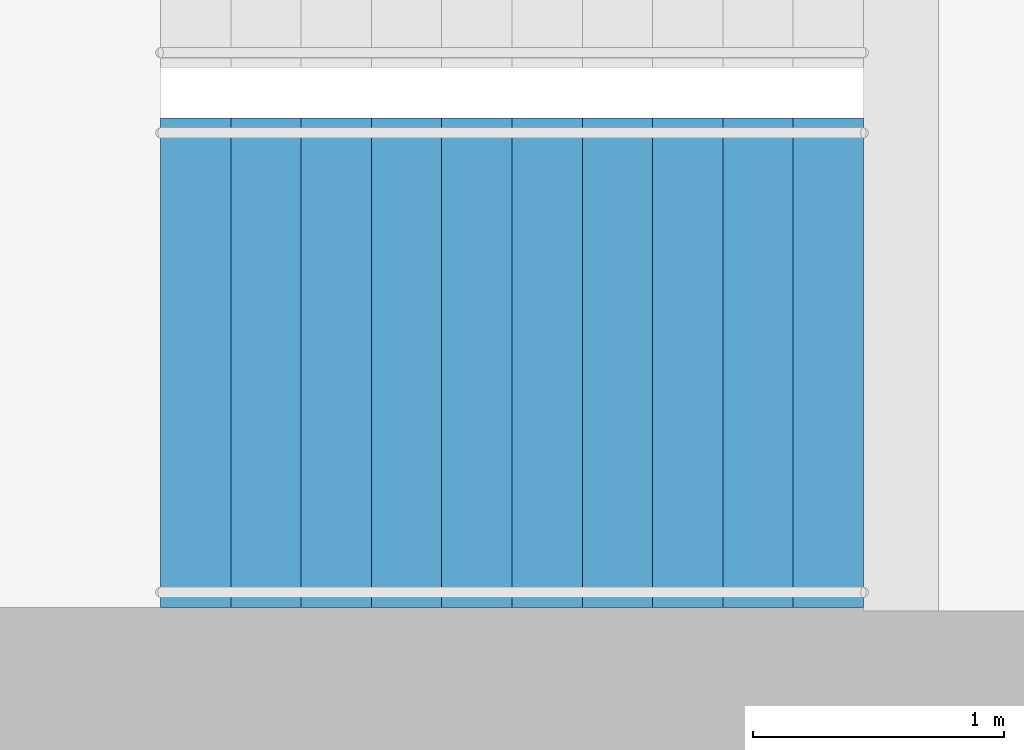
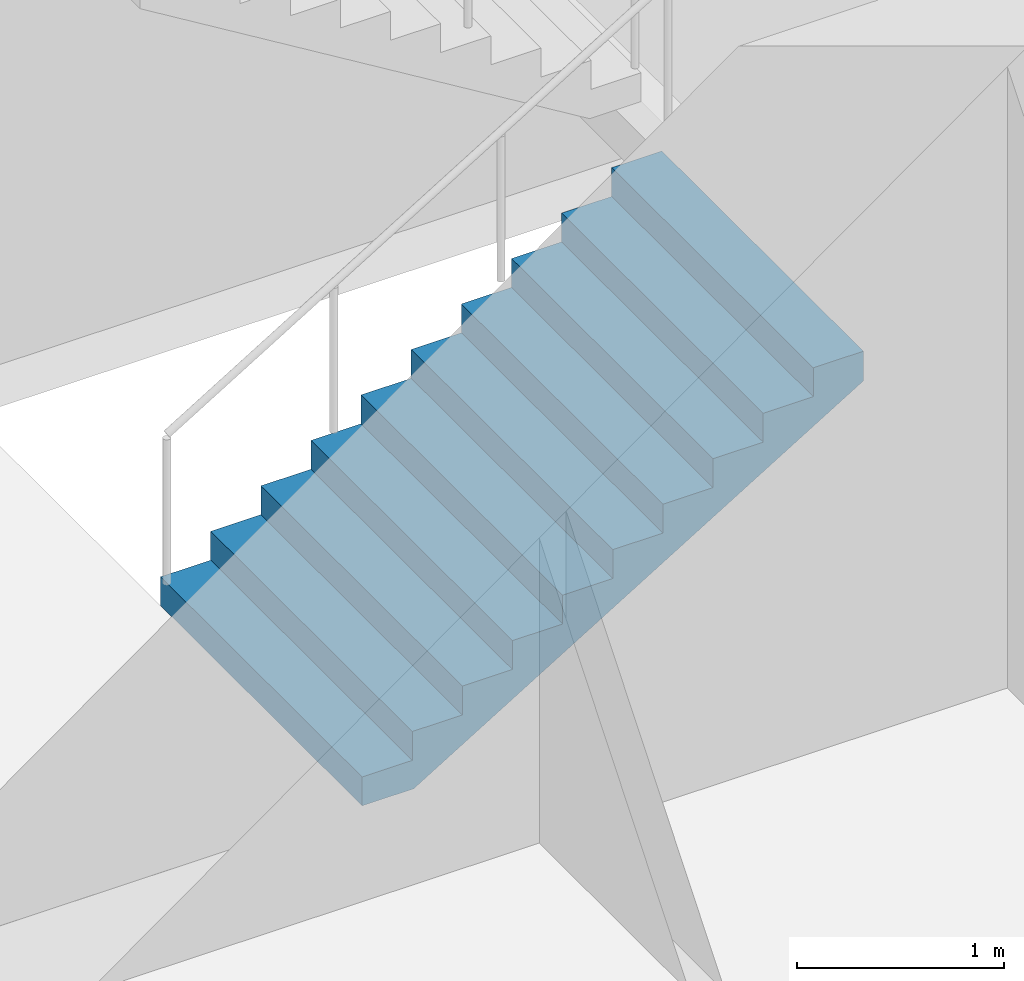
# One storey, part 19 of 23: 1 stair flight, 1 element without a shape of its own.
"""IFC4 building model written with IfcOpenShell, lengths in metres."""

import ifcopenshell
import ifcopenshell.guid

model = None  # the IFC model being written
_history = None  # IfcOwnerHistory: only IFC2X3 demands one
_inside = {}  # id of a spatial element -> (the spatial element, [elements in it])
_under = {}  # id of a project, library or spatial element -> (it, [spatial elements below it])
_declared = {}  # id of a project -> (the project, [libraries it declares])
_typed = {}  # id of a type object -> (the type object, [elements of that type])
_made_of = {}  # id of a material, layer set ... -> (it, [elements and type objects made of it])


def new_model(schema):
    """Start an empty IFC model of exactly this schema.

    Asked for "IFC4X3", IfcOpenShell would pick the latest addendum, in which some entities
    have other attributes; the version numbers below select the first issue.
    IFC2X3 requires an IfcOwnerHistory on every rooted entity: one is made here for all.
    """
    global model, _history
    if schema == "IFC4X3":
        model = ifcopenshell.file(schema_version=(4, 3, 0, 0))
    else:
        model = ifcopenshell.file(schema=schema)
    _inside.clear()
    _under.clear()
    _declared.clear()
    _typed.clear()
    _made_of.clear()
    _history = None
    if model.schema == "IFC2X3":
        org = make("IfcOrganization", Name="unknown")
        user = make(
            "IfcPersonAndOrganization",
            ThePerson=make("IfcPerson", FamilyName="unknown"),
            TheOrganization=org,
        )
        app = make(
            "IfcApplication",
            ApplicationDeveloper=org,
            Version="unknown",
            ApplicationFullName="unknown",
            ApplicationIdentifier="unknown",
        )
        _history = make(
            "IfcOwnerHistory",
            OwningUser=user,
            OwningApplication=app,
            ChangeAction="ADDED",
            CreationDate=0,
        )
    return model


def make(cls, **values):
    """One entity of the class cls with the attributes given. An attribute that is None is left unset."""
    return model.create_entity(
        cls, **{name: value for name, value in values.items() if value is not None}
    )


def rooted(cls, **values):
    """An entity with a GlobalId (a new one), such as an element, a storey or a relation."""
    return make(cls, GlobalId=ifcopenshell.guid.new(), OwnerHistory=_history, **values)


def si_unit(unit_type, name, prefix=None):
    """IfcSIUnit, for example si_unit("LENGTHUNIT", "METRE", prefix="MILLI")."""
    return make("IfcSIUnit", UnitType=unit_type, Prefix=prefix, Name=name)


def assignment(units):
    """IfcUnitAssignment: the units of a project."""
    return None if units is None else make("IfcUnitAssignment", Units=units)


def point(xyz):
    """IfcCartesianPoint."""
    return None if xyz is None else make("IfcCartesianPoint", Coordinates=xyz)


def direction(xyz):
    """IfcDirection."""
    return None if xyz is None else make("IfcDirection", DirectionRatios=xyz)


def frame(location, z_axis=None, x_axis=None):
    """IfcAxis2Placement3D, a coordinate frame: its origin and axes. An axis left out is left unset."""
    return make(
        "IfcAxis2Placement3D",
        Location=point(location),
        Axis=direction(z_axis),
        RefDirection=direction(x_axis),
    )


def origin():
    """The frame at (0, 0, 0) with its axes left unset."""
    return frame((0.0, 0.0, 0.0))


def place(relative_to, where):
    """IfcLocalPlacement: puts the frame where relative to a parent placement (None: the world)."""
    return make(
        "IfcLocalPlacement", PlacementRelTo=relative_to, RelativePlacement=where
    )


def context(
    kind, dimensions, precision=None, world=None, true_north=None, identifier=None
):
    """IfcGeometricRepresentationContext, for example the 3D "Model" context."""
    return make(
        "IfcGeometricRepresentationContext",
        ContextIdentifier=identifier,
        ContextType=kind,
        CoordinateSpaceDimension=dimensions,
        Precision=precision,
        WorldCoordinateSystem=world,
        TrueNorth=true_north,
    )


def subcontext(parent, identifier, kind, view, scale=None):
    """IfcGeometricRepresentationSubContext, for example "Body" below "Model"."""
    return make(
        "IfcGeometricRepresentationSubContext",
        ContextIdentifier=identifier,
        ContextType=kind,
        ParentContext=parent,
        TargetScale=scale,
        TargetView=view,
    )


def project(units=None, contexts=None):
    """IfcProject with its units and contexts."""
    return rooted(
        "IfcProject",
        Name="project",
        RepresentationContexts=contexts,
        UnitsInContext=assignment(units),
    )


def spatial(cls, under=None, at=None, **own):
    """A site, building, storey or space (cls), placed at a placement, below another one or the project."""
    s = rooted(cls, ObjectPlacement=at, **own)
    if under is not None:
        _under.setdefault(under.id(), (under, []))[1].append(s)
    return s


def point_list(points):
    """IfcCartesianPointList2D or 3D."""
    cls = (
        "IfcCartesianPointList2D" if len(points[0]) == 2 else "IfcCartesianPointList3D"
    )
    return make(cls, CoordList=points)


def triangles(points, corners, closed=None, point_numbers=None):
    """IfcTriangulatedFaceSet: each triangle names its three corners, points numbered from 1."""
    return make(
        "IfcTriangulatedFaceSet",
        Coordinates=point_list(points),
        Closed=closed,
        CoordIndex=corners,
        PnIndex=point_numbers,
    )


def shape(context_of_items, identifier, shape_type, items):
    """IfcShapeRepresentation: the items that make up one representation, for example the "Body"."""
    return make(
        "IfcShapeRepresentation",
        ContextOfItems=context_of_items,
        RepresentationIdentifier=identifier,
        RepresentationType=shape_type,
        Items=items,
    )


def material(Name=None, Category=None):
    """IfcMaterial."""
    return make("IfcMaterial", Name=Name, Category=Category)


def made_of(thing, what):
    """Note that an element or type object is made of a material, layer set ...; save() writes the relation."""
    if what is not None:
        _made_of.setdefault(what.id(), (what, []))[1].append(thing)
    return thing


def type_object(cls, material=None, **own):
    """A type object (cls), such as IfcWallType, which elements share."""
    return made_of(rooted(cls, **own), material)


def element(
    cls,
    number,
    at=None,
    inside=None,
    cuts=None,
    type_object=None,
    material=None,
    context=None,
    identifier="Body",
    shape_type=None,
    held_by="IfcProductDefinitionShape",
    body=None,
    shapes=None,
    **own,
):
    """One element of the class cls, such as IfcWall. Its Tag is "e" and its number.

    at: its placement. inside: the storey or other place that contains it. cuts: it is an
    opening in that element (IfcRelVoidsElement). A single representation is given by context,
    identifier, shape_type and body (its items); several are given by shapes. held_by: the class
    of the entity that holds the representations. save() writes the other relations.
    """
    e = rooted(cls, Tag="e%d" % number, ObjectPlacement=at, **own)
    if body is not None:
        shapes = [shape(context, identifier, shape_type, body)]
    if shapes is not None:
        e.Representation = make(held_by, Representations=shapes)
    if inside is not None:
        _inside.setdefault(inside.id(), (inside, []))[1].append(e)
    if cuts is not None:
        rooted(
            "IfcRelVoidsElement", RelatingBuildingElement=cuts, RelatedOpeningElement=e
        )
    if type_object is not None:
        _typed.setdefault(type_object.id(), (type_object, []))[1].append(e)
    return made_of(e, material)


def aggregate(whole, parts):
    """IfcRelAggregates: a whole, such as a stair, and the parts it consists of."""
    return rooted("IfcRelAggregates", RelatingObject=whole, RelatedObjects=parts)


def save(model, path):
    """Write the relations noted so far, then the file.

    IfcRelAggregates (storeys below a building ...), IfcRelContainedInSpatialStructure (elements
    in a storey), IfcRelDefinesByType, IfcRelAssociatesMaterial and IfcRelDeclares: one each for
    every whole, place, type object, material and project.
    """
    for whole, parts in _under.values():
        aggregate(whole, parts)
    for where, things in _inside.values():
        rooted(
            "IfcRelContainedInSpatialStructure",
            RelatedElements=things,
            RelatingStructure=where,
        )
    for kind, things in _typed.values():
        rooted("IfcRelDefinesByType", RelatedObjects=things, RelatingType=kind)
    for what, things in _made_of.values():
        rooted("IfcRelAssociatesMaterial", RelatedObjects=things, RelatingMaterial=what)
    for by, libraries in _declared.values():
        rooted("IfcRelDeclares", RelatingContext=by, RelatedDefinitions=libraries)
    model.write(path)


model = new_model("IFC4")

# Units and contexts
model_context = context("Model", 3, precision=1e-05, world=origin(), true_north=direction((0.0, 1.0)))
body_context = subcontext(model_context, "Body", "Model", "MODEL_VIEW")
ifc_project = project(units=[si_unit("LENGTHUNIT", "METRE"), si_unit("AREAUNIT", "SQUARE_METRE"), si_unit("VOLUMEUNIT", "CUBIC_METRE"), si_unit("PLANEANGLEUNIT", "RADIAN"), si_unit("MASSUNIT", "GRAM", prefix="KILO")], contexts=[model_context])

# Site, building, storey
site_placement = place(None, origin())
site = spatial("IfcSite", under=ifc_project, at=site_placement, CompositionType="ELEMENT")
building_placement = place(site_placement, origin())
building = spatial("IfcBuilding", under=site, at=building_placement, Name="Orbita Commons", CompositionType="ELEMENT")
storey_placement = place(building_placement, frame((0.0, 0.0, 254.050048828125)))
storey = spatial("IfcBuildingStorey", under=building, at=storey_placement, Name="L63", CompositionType="ELEMENT", Elevation=254.050048828125)

# Stair, stair flight
ifc_material_1 = material(Name="Precast concrete C40/50", Category="concrete")
stair_type = type_object("IfcStairType", Name="Exit stair S1 2 flights 11 risers 170", PredefinedType="HALF_TURN_STAIR", material=ifc_material_1)
stair_placement = place(storey_placement, origin())
stair = element("IfcStair", 1, at=stair_placement, inside=storey, type_object=stair_type, Name="Exit stair S1 L63", PredefinedType="HALF_TURN_STAIR")
ifc_material_2 = material(Name="Precast concrete C40/50", Category="concrete")
stair_flight_type = type_object("IfcStairFlightType", Name="Stair flight 11 risers 170 x 280", PredefinedType="STRAIGHT", material=ifc_material_2)
stair_flight_placement = place(storey_placement, frame((20.449951171875, 27.125, 0.0), z_axis=(0.0, 0.0, 1.0), x_axis=(1.0, 0.0, 0.0)))
stair_flight = element("IfcStairFlight", 2, at=stair_flight_placement, type_object=stair_flight_type, Name="S1 flight 1", NumberOfRisers=11, NumberOfTreads=10, PredefinedType="STRAIGHT", RiserHeight=0.170454545, TreadLength=0.28, context=body_context, shape_type="Tessellation", body=[
    triangles([(0.0, 0.974976, 0.0), (0.0, 0.974976, 0.021307), (0.0, 0.81248, 0.021307), (0.0, 0.81248, 0.0), (0.0, 0.649984, 0.021307), (0.0, 0.649984, 0.0), (0.0, 0.487488, 0.021307), (0.0, 0.487488, 0.0), (0.0, 0.324992, 0.021307), (0.0, 0.324992, 0.0), (0.0, 0.162496, 0.021307), (0.0, 0.162496, 0.0), (0.0, 0.0, 0.021307), (0.0, 0.0, 0.0), (0.0, -0.162496, 0.021307), (0.0, -0.162496, 0.0), (0.0, -0.324992, 0.021307), (0.0, -0.324992, 0.0), (0.0, -0.487488, 0.021307), (0.0, -0.487488, 0.0), (0.0, -0.649984, 0.021307), (0.0, -0.649984, 0.0), (0.0, -0.81248, 0.021307), (0.0, -0.81248, 0.0), (0.0, -0.974976, 0.021307), (0.0, -0.974976, 0.0), (0.0, 0.974976, 0.042614), (0.0, 0.81248, 0.042614), (0.0, 0.649984, 0.042614), (0.0, 0.487488, 0.042614), (0.0, 0.324992, 0.042614), (0.0, 0.162496, 0.042614), (0.0, 0.0, 0.042614), (0.0, -0.162496, 0.042614), (0.0, -0.324992, 0.042614), (0.0, -0.487488, 0.042614), (0.0, -0.649984, 0.042614), (0.0, -0.81248, 0.042614), (0.0, -0.974976, 0.042614), (0.0, 0.974976, 0.06392), (0.0, 0.81248, 0.06392), (0.0, 0.649984, 0.06392), (0.0, 0.487488, 0.06392), (0.0, 0.324992, 0.06392), (0.0, 0.162496, 0.06392), (0.0, 0.0, 0.06392), (0.0, -0.162496, 0.06392), (0.0, -0.324992, 0.06392), (0.0, -0.487488, 0.06392), (0.0, -0.649984, 0.06392), (0.0, -0.81248, 0.06392), (0.0, -0.974976, 0.06392), (0.0, 0.974976, 0.085227), (0.0, 0.81248, 0.085227), (0.0, 0.649984, 0.085227), (0.0, 0.487488, 0.085227), (0.0, 0.324992, 0.085227), (0.0, 0.162496, 0.085227), (0.0, 0.0, 0.085227), (0.0, -0.162496, 0.085227), (0.0, -0.324992, 0.085227), (0.0, -0.487488, 0.085227), (0.0, -0.649984, 0.085227), (0.0, -0.81248, 0.085227), (0.0, -0.974976, 0.085227), (0.0, 0.974976, 0.106534), (0.0, 0.81248, 0.106534), (0.0, 0.649984, 0.106534), (0.0, 0.487488, 0.106534), (0.0, 0.324992, 0.106534), (0.0, 0.162496, 0.106534), (0.0, 0.0, 0.106534), (0.0, -0.162496, 0.106534), (0.0, -0.324992, 0.106534), (0.0, -0.487488, 0.106534), (0.0, -0.649984, 0.106534), (0.0, -0.81248, 0.106534), (0.0, -0.974976, 0.106534), (0.0, 0.974976, 0.127841), (0.0, 0.81248, 0.127841), (0.0, 0.649984, 0.127841), (0.0, 0.487488, 0.127841), (0.0, 0.324992, 0.127841), (0.0, 0.162496, 0.127841), (0.0, 0.0, 0.127841), (0.0, -0.162496, 0.127841), (0.0, -0.324992, 0.127841), (0.0, -0.487488, 0.127841), (0.0, -0.649984, 0.127841), (0.0, -0.81248, 0.127841), (0.0, -0.974976, 0.127841), (0.0, 0.974976, 0.149148), (0.0, 0.81248, 0.149148), (0.0, 0.649984, 0.149148), (0.0, 0.487488, 0.149148), (0.0, 0.324992, 0.149148), (0.0, 0.162496, 0.149148), (0.0, 0.0, 0.149148), (0.0, -0.162496, 0.149148), (0.0, -0.324992, 0.149148), (0.0, -0.487488, 0.149148), (0.0, -0.649984, 0.149148), (0.0, -0.81248, 0.149148), (0.0, -0.974976, 0.149148), (0.0, 0.974976, 0.170455), (0.0, 0.81248, 0.170455), (0.0, 0.649984, 0.170455), (0.0, 0.487488, 0.170455), (0.0, 0.324992, 0.170455), (0.0, 0.162496, 0.170455), (0.0, 0.0, 0.170455), (0.0, -0.162496, 0.170455), (0.0, -0.324992, 0.170455), (0.0, -0.487488, 0.170455), (0.0, -0.649984, 0.170455), (0.0, -0.81248, 0.170455), (0.0, -0.974976, 0.170455), (0.28, 0.974976, 0.170455), (0.28, 0.81248, 0.170455), (0.28, 0.649984, 0.170455), (0.28, 0.487488, 0.170455), (0.28, 0.324992, 0.170455), (0.28, 0.162496, 0.170455), (0.28, 0.0, 0.170455), (0.28, -0.162496, 0.170455), (0.28, -0.324992, 0.170455), (0.28, -0.487488, 0.170455), (0.28, -0.649984, 0.170455), (0.28, -0.81248, 0.170455), (0.28, -0.974976, 0.170455), (0.28, 0.974976, 0.340909), (0.28, 0.81248, 0.340909), (0.28, 0.649984, 0.340909), (0.28, 0.487488, 0.340909), (0.28, 0.324992, 0.340909), (0.28, 0.162496, 0.340909), (0.28, 0.0, 0.340909), (0.28, -0.162496, 0.340909), (0.28, -0.324992, 0.340909), (0.28, -0.487488, 0.340909), (0.28, -0.649984, 0.340909), (0.28, -0.81248, 0.340909), (0.28, -0.974976, 0.340909), (0.56, 0.974976, 0.340909), (0.56, 0.81248, 0.340909), (0.56, 0.649984, 0.340909), (0.56, 0.487488, 0.340909), (0.56, 0.324992, 0.340909), (0.56, 0.162496, 0.340909), (0.56, 0.0, 0.340909), (0.56, -0.162496, 0.340909), (0.56, -0.324992, 0.340909), (0.56, -0.487488, 0.340909), (0.56, -0.649984, 0.340909), (0.56, -0.81248, 0.340909), (0.56, -0.974976, 0.340909), (0.56, 0.974976, 0.511364), (0.56, 0.81248, 0.511364), (0.56, 0.649984, 0.511364), (0.56, 0.487488, 0.511364), (0.56, 0.324992, 0.511364), (0.56, 0.162496, 0.511364), (0.56, 0.0, 0.511364), (0.56, -0.162496, 0.511364), (0.56, -0.324992, 0.511364), (0.56, -0.487488, 0.511364), (0.56, -0.649984, 0.511364), (0.56, -0.81248, 0.511364), (0.56, -0.974976, 0.511364), (0.84, 0.974976, 0.511364), (0.84, 0.81248, 0.511364), (0.84, 0.649984, 0.511364), (0.84, 0.487488, 0.511364), (0.84, 0.324992, 0.511364), (0.84, 0.162496, 0.511364), (0.84, 0.0, 0.511364), (0.84, -0.162496, 0.511364), (0.84, -0.324992, 0.511364), (0.84, -0.487488, 0.511364), (0.84, -0.649984, 0.511364), (0.84, -0.81248, 0.511364), (0.84, -0.974976, 0.511364), (0.84, 0.974976, 0.681818), (0.84, 0.81248, 0.681818), (0.84, 0.649984, 0.681818), (0.84, 0.487488, 0.681818), (0.84, 0.324992, 0.681818), (0.84, 0.162496, 0.681818), (0.84, 0.0, 0.681818), (0.84, -0.162496, 0.681818), (0.84, -0.324992, 0.681818), (0.84, -0.487488, 0.681818), (0.84, -0.649984, 0.681818), (0.84, -0.81248, 0.681818), (0.84, -0.974976, 0.681818), (1.12, 0.974976, 0.681818), (1.12, 0.81248, 0.681818), (1.12, 0.649984, 0.681818), (1.12, 0.487488, 0.681818), (1.12, 0.324992, 0.681818), (1.12, 0.162496, 0.681818), (1.12, 0.0, 0.681818), (1.12, -0.162496, 0.681818), (1.12, -0.324992, 0.681818), (1.12, -0.487488, 0.681818), (1.12, -0.649984, 0.681818), (1.12, -0.81248, 0.681818), (1.12, -0.974976, 0.681818), (1.12, 0.974976, 0.852273), (1.12, 0.81248, 0.852273), (1.12, 0.649984, 0.852273), (1.12, 0.487488, 0.852273), (1.12, 0.324992, 0.852273), (1.12, 0.162496, 0.852273), (1.12, 0.0, 0.852273), (1.12, -0.162496, 0.852273), (1.12, -0.324992, 0.852273), (1.12, -0.487488, 0.852273), (1.12, -0.649984, 0.852273), (1.12, -0.81248, 0.852273), (1.12, -0.974976, 0.852273), (1.4, 0.974976, 0.852273), (1.4, 0.81248, 0.852273), (1.4, 0.649984, 0.852273), (1.4, 0.487488, 0.852273), (1.4, 0.324992, 0.852273), (1.4, 0.162496, 0.852273), (1.4, 0.0, 0.852273), (1.4, -0.162496, 0.852273), (1.4, -0.324992, 0.852273), (1.4, -0.487488, 0.852273), (1.4, -0.649984, 0.852273), (1.4, -0.81248, 0.852273), (1.4, -0.974976, 0.852273), (1.4, 0.974976, 1.022727), (1.4, 0.81248, 1.022727), (1.4, 0.649984, 1.022727), (1.4, 0.487488, 1.022727), (1.4, 0.324992, 1.022727), (1.4, 0.162496, 1.022727), (1.4, 0.0, 1.022727), (1.4, -0.162496, 1.022727), (1.4, -0.324992, 1.022727), (1.4, -0.487488, 1.022727), (1.4, -0.649984, 1.022727), (1.4, -0.81248, 1.022727), (1.4, -0.974976, 1.022727), (1.68, 0.974976, 1.022727), (1.68, 0.81248, 1.022727), (1.68, 0.649984, 1.022727), (1.68, 0.487488, 1.022727), (1.68, 0.324992, 1.022727), (1.68, 0.162496, 1.022727), (1.68, 0.0, 1.022727), (1.68, -0.162496, 1.022727), (1.68, -0.324992, 1.022727), (1.68, -0.487488, 1.022727), (1.68, -0.649984, 1.022727), (1.68, -0.81248, 1.022727), (1.68, -0.974976, 1.022727), (1.68, 0.974976, 1.193182), (1.68, 0.81248, 1.193182), (1.68, 0.649984, 1.193182), (1.68, 0.487488, 1.193182), (1.68, 0.324992, 1.193182), (1.68, 0.162496, 1.193182), (1.68, 0.0, 1.193182), (1.68, -0.162496, 1.193182), (1.68, -0.324992, 1.193182), (1.68, -0.487488, 1.193182), (1.68, -0.649984, 1.193182), (1.68, -0.81248, 1.193182), (1.68, -0.974976, 1.193182), (1.96, 0.974976, 1.193182), (1.96, 0.81248, 1.193182), (1.96, 0.649984, 1.193182), (1.96, 0.487488, 1.193182), (1.96, 0.324992, 1.193182), (1.96, 0.162496, 1.193182), (1.96, 0.0, 1.193182), (1.96, -0.162496, 1.193182), (1.96, -0.324992, 1.193182), (1.96, -0.487488, 1.193182), (1.96, -0.649984, 1.193182), (1.96, -0.81248, 1.193182), (1.96, -0.974976, 1.193182), (1.96, 0.974976, 1.363636), (1.96, 0.81248, 1.363636), (1.96, 0.649984, 1.363636), (1.96, 0.487488, 1.363636), (1.96, 0.324992, 1.363636), (1.96, 0.162496, 1.363636), (1.96, 0.0, 1.363636), (1.96, -0.162496, 1.363636), (1.96, -0.324992, 1.363636), (1.96, -0.487488, 1.363636), (1.96, -0.649984, 1.363636), (1.96, -0.81248, 1.363636), (1.96, -0.974976, 1.363636), (2.24, 0.974976, 1.363636), (2.24, 0.81248, 1.363636), (2.24, 0.649984, 1.363636), (2.24, 0.487488, 1.363636), (2.24, 0.324992, 1.363636), (2.24, 0.162496, 1.363636), (2.24, 0.0, 1.363636), (2.24, -0.162496, 1.363636), (2.24, -0.324992, 1.363636), (2.24, -0.487488, 1.363636), (2.24, -0.649984, 1.363636), (2.24, -0.81248, 1.363636), (2.24, -0.974976, 1.363636), (2.24, 0.974976, 1.534091), (2.24, 0.81248, 1.534091), (2.24, 0.649984, 1.534091), (2.24, 0.487488, 1.534091), (2.24, 0.324992, 1.534091), (2.24, 0.162496, 1.534091), (2.24, 0.0, 1.534091), (2.24, -0.162496, 1.534091), (2.24, -0.324992, 1.534091), (2.24, -0.487488, 1.534091), (2.24, -0.649984, 1.534091), (2.24, -0.81248, 1.534091), (2.24, -0.974976, 1.534091), (2.52, 0.974976, 1.534091), (2.52, 0.81248, 1.534091), (2.52, 0.649984, 1.534091), (2.52, 0.487488, 1.534091), (2.52, 0.324992, 1.534091), (2.52, 0.162496, 1.534091), (2.52, 0.0, 1.534091), (2.52, -0.162496, 1.534091), (2.52, -0.324992, 1.534091), (2.52, -0.487488, 1.534091), (2.52, -0.649984, 1.534091), (2.52, -0.81248, 1.534091), (2.52, -0.974976, 1.534091), (2.52, 0.974976, 1.704545), (2.52, 0.81248, 1.704545), (2.52, 0.649984, 1.704545), (2.52, 0.487488, 1.704545), (2.52, 0.324992, 1.704545), (2.52, 0.162496, 1.704545), (2.52, 0.0, 1.704545), (2.52, -0.162496, 1.704545), (2.52, -0.324992, 1.704545), (2.52, -0.487488, 1.704545), (2.52, -0.649984, 1.704545), (2.52, -0.81248, 1.704545), (2.52, -0.974976, 1.704545), (2.8, 0.974976, 1.704545), (2.8, 0.81248, 1.704545), (2.8, 0.649984, 1.704545), (2.8, 0.487488, 1.704545), (2.8, 0.324992, 1.704545), (2.8, 0.162496, 1.704545), (2.8, 0.0, 1.704545), (2.8, -0.162496, 1.704545), (2.8, -0.324992, 1.704545), (2.8, -0.487488, 1.704545), (2.8, -0.649984, 1.704545), (2.8, -0.81248, 1.704545), (2.8, -0.974976, 1.704545), (2.8, 0.974976, 1.682609), (2.8, 0.81248, 1.682609), (2.8, 0.649984, 1.682609), (2.8, 0.487488, 1.682609), (2.8, 0.324992, 1.682609), (2.8, 0.162496, 1.682609), (2.8, 0.0, 1.682609), (2.8, -0.162496, 1.682609), (2.8, -0.324992, 1.682609), (2.8, -0.487488, 1.682609), (2.8, -0.649984, 1.682609), (2.8, -0.81248, 1.682609), (2.8, -0.974976, 1.682609), (2.8, 0.974976, 1.660672), (2.8, 0.81248, 1.660672), (2.8, 0.649984, 1.660672), (2.8, 0.487488, 1.660672), (2.8, 0.324992, 1.660672), (2.8, 0.162496, 1.660672), (2.8, 0.0, 1.660672), (2.8, -0.162496, 1.660672), (2.8, -0.324992, 1.660672), (2.8, -0.487488, 1.660672), (2.8, -0.649984, 1.660672), (2.8, -0.81248, 1.660672), (2.8, -0.974976, 1.660672), (2.8, 0.974976, 1.638735), (2.8, 0.81248, 1.638735), (2.8, 0.649984, 1.638735), (2.8, 0.487488, 1.638735), (2.8, 0.324992, 1.638735), (2.8, 0.162496, 1.638735), (2.8, 0.0, 1.638735), (2.8, -0.162496, 1.638735), (2.8, -0.324992, 1.638735), (2.8, -0.487488, 1.638735), (2.8, -0.649984, 1.638735), (2.8, -0.81248, 1.638735), (2.8, -0.974976, 1.638735), (2.8, 0.974976, 1.616798), (2.8, 0.81248, 1.616798), (2.8, 0.649984, 1.616798), (2.8, 0.487488, 1.616798), (2.8, 0.324992, 1.616798), (2.8, 0.162496, 1.616798), (2.8, 0.0, 1.616798), (2.8, -0.162496, 1.616798), (2.8, -0.324992, 1.616798), (2.8, -0.487488, 1.616798), (2.8, -0.649984, 1.616798), (2.8, -0.81248, 1.616798), (2.8, -0.974976, 1.616798), (2.8, 0.974976, 1.594861), (2.8, 0.81248, 1.594861), (2.8, 0.649984, 1.594861), (2.8, 0.487488, 1.594861), (2.8, 0.324992, 1.594861), (2.8, 0.162496, 1.594861), (2.8, 0.0, 1.594861), (2.8, -0.162496, 1.594861), (2.8, -0.324992, 1.594861), (2.8, -0.487488, 1.594861), (2.8, -0.649984, 1.594861), (2.8, -0.81248, 1.594861), (2.8, -0.974976, 1.594861), (2.8, 0.974976, 1.572925), (2.8, 0.81248, 1.572925), (2.8, 0.649984, 1.572925), (2.8, 0.487488, 1.572925), (2.8, 0.324992, 1.572925), (2.8, 0.162496, 1.572925), (2.8, 0.0, 1.572925), (2.8, -0.162496, 1.572925), (2.8, -0.324992, 1.572925), (2.8, -0.487488, 1.572925), (2.8, -0.649984, 1.572925), (2.8, -0.81248, 1.572925), (2.8, -0.974976, 1.572925), (2.8, 0.974976, 1.550988), (2.8, 0.81248, 1.550988), (2.8, 0.649984, 1.550988), (2.8, 0.487488, 1.550988), (2.8, 0.324992, 1.550988), (2.8, 0.162496, 1.550988), (2.8, 0.0, 1.550988), (2.8, -0.162496, 1.550988), (2.8, -0.324992, 1.550988), (2.8, -0.487488, 1.550988), (2.8, -0.649984, 1.550988), (2.8, -0.81248, 1.550988), (2.8, -0.974976, 1.550988), (2.8, 0.974976, 1.529051), (2.8, 0.81248, 1.529051), (2.8, 0.649984, 1.529051), (2.8, 0.487488, 1.529051), (2.8, 0.324992, 1.529051), (2.8, 0.162496, 1.529051), (2.8, 0.0, 1.529051), (2.8, -0.162496, 1.529051), (2.8, -0.324992, 1.529051), (2.8, -0.487488, 1.529051), (2.8, -0.649984, 1.529051), (2.8, -0.81248, 1.529051), (2.8, -0.974976, 1.529051), (0.288279, 0.974976, 0.0), (0.288279, 0.81248, 0.0), (0.288279, 0.649984, 0.0), (0.288279, 0.487488, 0.0), (0.288279, 0.324992, 0.0), (0.288279, 0.162496, 0.0), (0.288279, 0.0, 0.0), (0.288279, -0.162496, 0.0), (0.288279, -0.324992, 0.0), (0.288279, -0.487488, 0.0), (0.288279, -0.649984, 0.0), (0.288279, -0.81248, 0.0), (0.288279, -0.974976, 0.0)], [[3, 2, 1], [4, 3, 1], [5, 3, 4], [6, 5, 4], [7, 5, 6], [8, 7, 6], [9, 7, 8], [10, 9, 8], [11, 9, 10], [12, 11, 10], [13, 11, 12], [14, 13, 12], [15, 13, 14], [16, 15, 14], [17, 15, 16], [18, 17, 16], [19, 17, 18], [20, 19, 18], [21, 19, 20], [22, 21, 20], [23, 21, 22], [24, 23, 22], [25, 23, 24], [26, 25, 24], [28, 27, 2], [3, 28, 2], [29, 28, 3], [5, 29, 3], [30, 29, 5], [7, 30, 5], [31, 30, 7], [9, 31, 7], [32, 31, 9], [11, 32, 9], [33, 32, 11], [13, 33, 11], [34, 33, 13], [15, 34, 13], [35, 34, 15], [17, 35, 15], [36, 35, 17], [19, 36, 17], [37, 36, 19], [21, 37, 19], [38, 37, 21], [23, 38, 21], [39, 38, 23], [25, 39, 23], [41, 40, 27], [28, 41, 27], [42, 41, 28], [29, 42, 28], [43, 42, 29], [30, 43, 29], [44, 43, 30], [31, 44, 30], [45, 44, 31], [32, 45, 31], [46, 45, 32], [33, 46, 32], [47, 46, 33], [34, 47, 33], [48, 47, 34], [35, 48, 34], [49, 48, 35], [36, 49, 35], [50, 49, 36], [37, 50, 36], [51, 50, 37], [38, 51, 37], [52, 51, 38], [39, 52, 38], [54, 53, 40], [41, 54, 40], [55, 54, 41], [42, 55, 41], [56, 55, 42], [43, 56, 42], [57, 56, 43], [44, 57, 43], [58, 57, 44], [45, 58, 44], [59, 58, 45], [46, 59, 45], [60, 59, 46], [47, 60, 46], [61, 60, 47], [48, 61, 47], [62, 61, 48], [49, 62, 48], [63, 62, 49], [50, 63, 49], [64, 63, 50], [51, 64, 50], [65, 64, 51], [52, 65, 51], [67, 66, 53], [54, 67, 53], [68, 67, 54], [55, 68, 54], [69, 68, 55], [56, 69, 55], [70, 69, 56], [57, 70, 56], [71, 70, 57], [58, 71, 57], [72, 71, 58], [59, 72, 58], [73, 72, 59], [60, 73, 59], [74, 73, 60], [61, 74, 60], [75, 74, 61], [62, 75, 61], [76, 75, 62], [63, 76, 62], [77, 76, 63], [64, 77, 63], [78, 77, 64], [65, 78, 64], [80, 79, 66], [67, 80, 66], [81, 80, 67], [68, 81, 67], [82, 81, 68], [69, 82, 68], [83, 82, 69], [70, 83, 69], [84, 83, 70], [71, 84, 70], [85, 84, 71], [72, 85, 71], [86, 85, 72], [73, 86, 72], [87, 86, 73], [74, 87, 73], [88, 87, 74], [75, 88, 74], [89, 88, 75], [76, 89, 75], [90, 89, 76], [77, 90, 76], [91, 90, 77], [78, 91, 77], [93, 92, 79], [80, 93, 79], [94, 93, 80], [81, 94, 80], [95, 94, 81], [82, 95, 81], [96, 95, 82], [83, 96, 82], [97, 96, 83], [84, 97, 83], [98, 97, 84], [85, 98, 84], [99, 98, 85], [86, 99, 85], [100, 99, 86], [87, 100, 86], [101, 100, 87], [88, 101, 87], [102, 101, 88], [89, 102, 88], [103, 102, 89], [90, 103, 89], [104, 103, 90], [91, 104, 90], [106, 105, 92], [93, 106, 92], [107, 106, 93], [94, 107, 93], [108, 107, 94], [95, 108, 94], [109, 108, 95], [96, 109, 95], [110, 109, 96], [97, 110, 96], [111, 110, 97], [98, 111, 97], [112, 111, 98], [99, 112, 98], [113, 112, 99], [100, 113, 99], [114, 113, 100], [101, 114, 100], [115, 114, 101], [102, 115, 101], [116, 115, 102], [103, 116, 102], [117, 116, 103], [104, 117, 103], [119, 118, 105], [106, 119, 105], [120, 119, 106], [107, 120, 106], [121, 120, 107], [108, 121, 107], [122, 121, 108], [109, 122, 108], [123, 122, 109], [110, 123, 109], [124, 123, 110], [111, 124, 110], [125, 124, 111], [112, 125, 111], [126, 125, 112], [113, 126, 112], [127, 126, 113], [114, 127, 113], [128, 127, 114], [115, 128, 114], [129, 128, 115], [116, 129, 115], [130, 129, 116], [117, 130, 116], [132, 131, 118], [119, 132, 118], [133, 132, 119], [120, 133, 119], [134, 133, 120], [121, 134, 120], [135, 134, 121], [122, 135, 121], [136, 135, 122], [123, 136, 122], [137, 136, 123], [124, 137, 123], [138, 137, 124], [125, 138, 124], [139, 138, 125], [126, 139, 125], [140, 139, 126], [127, 140, 126], [141, 140, 127], [128, 141, 127], [142, 141, 128], [129, 142, 128], [143, 142, 129], [130, 143, 129], [145, 144, 131], [132, 145, 131], [146, 145, 132], [133, 146, 132], [147, 146, 133], [134, 147, 133], [148, 147, 134], [135, 148, 134], [149, 148, 135], [136, 149, 135], [150, 149, 136], [137, 150, 136], [151, 150, 137], [138, 151, 137], [152, 151, 138], [139, 152, 138], [153, 152, 139], [140, 153, 139], [154, 153, 140], [141, 154, 140], [155, 154, 141], [142, 155, 141], [156, 155, 142], [143, 156, 142], [158, 157, 144], [145, 158, 144], [159, 158, 145], [146, 159, 145], [160, 159, 146], [147, 160, 146], [161, 160, 147], [148, 161, 147], [162, 161, 148], [149, 162, 148], [163, 162, 149], [150, 163, 149], [164, 163, 150], [151, 164, 150], [165, 164, 151], [152, 165, 151], [166, 165, 152], [153, 166, 152], [167, 166, 153], [154, 167, 153], [168, 167, 154], [155, 168, 154], [169, 168, 155], [156, 169, 155], [171, 170, 157], [158, 171, 157], [172, 171, 158], [159, 172, 158], [173, 172, 159], [160, 173, 159], [174, 173, 160], [161, 174, 160], [175, 174, 161], [162, 175, 161], [176, 175, 162], [163, 176, 162], [177, 176, 163], [164, 177, 163], [178, 177, 164], [165, 178, 164], [179, 178, 165], [166, 179, 165], [180, 179, 166], [167, 180, 166], [181, 180, 167], [168, 181, 167], [182, 181, 168], [169, 182, 168], [184, 183, 170], [171, 184, 170], [185, 184, 171], [172, 185, 171], [186, 185, 172], [173, 186, 172], [187, 186, 173], [174, 187, 173], [188, 187, 174], [175, 188, 174], [189, 188, 175], [176, 189, 175], [190, 189, 176], [177, 190, 176], [191, 190, 177], [178, 191, 177], [192, 191, 178], [179, 192, 178], [193, 192, 179], [180, 193, 179], [194, 193, 180], [181, 194, 180], [195, 194, 181], [182, 195, 181], [197, 196, 183], [184, 197, 183], [198, 197, 184], [185, 198, 184], [199, 198, 185], [186, 199, 185], [200, 199, 186], [187, 200, 186], [201, 200, 187], [188, 201, 187], [202, 201, 188], [189, 202, 188], [203, 202, 189], [190, 203, 189], [204, 203, 190], [191, 204, 190], [205, 204, 191], [192, 205, 191], [206, 205, 192], [193, 206, 192], [207, 206, 193], [194, 207, 193], [208, 207, 194], [195, 208, 194], [210, 209, 196], [197, 210, 196], [211, 210, 197], [198, 211, 197], [212, 211, 198], [199, 212, 198], [213, 212, 199], [200, 213, 199], [214, 213, 200], [201, 214, 200], [215, 214, 201], [202, 215, 201], [216, 215, 202], [203, 216, 202], [217, 216, 203], [204, 217, 203], [218, 217, 204], [205, 218, 204], [219, 218, 205], [206, 219, 205], [220, 219, 206], [207, 220, 206], [221, 220, 207], [208, 221, 207], [223, 222, 209], [210, 223, 209], [224, 223, 210], [211, 224, 210], [225, 224, 211], [212, 225, 211], [226, 225, 212], [213, 226, 212], [227, 226, 213], [214, 227, 213], [228, 227, 214], [215, 228, 214], [229, 228, 215], [216, 229, 215], [230, 229, 216], [217, 230, 216], [231, 230, 217], [218, 231, 217], [232, 231, 218], [219, 232, 218], [233, 232, 219], [220, 233, 219], [234, 233, 220], [221, 234, 220], [236, 235, 222], [223, 236, 222], [237, 236, 223], [224, 237, 223], [238, 237, 224], [225, 238, 224], [239, 238, 225], [226, 239, 225], [240, 239, 226], [227, 240, 226], [241, 240, 227], [228, 241, 227], [242, 241, 228], [229, 242, 228], [243, 242, 229], [230, 243, 229], [244, 243, 230], [231, 244, 230], [245, 244, 231], [232, 245, 231], [246, 245, 232], [233, 246, 232], [247, 246, 233], [234, 247, 233], [249, 248, 235], [236, 249, 235], [250, 249, 236], [237, 250, 236], [251, 250, 237], [238, 251, 237], [252, 251, 238], [239, 252, 238], [253, 252, 239], [240, 253, 239], [254, 253, 240], [241, 254, 240], [255, 254, 241], [242, 255, 241], [256, 255, 242], [243, 256, 242], [257, 256, 243], [244, 257, 243], [258, 257, 244], [245, 258, 244], [259, 258, 245], [246, 259, 245], [260, 259, 246], [247, 260, 246], [262, 261, 248], [249, 262, 248], [263, 262, 249], [250, 263, 249], [264, 263, 250], [251, 264, 250], [265, 264, 251], [252, 265, 251], [266, 265, 252], [253, 266, 252], [267, 266, 253], [254, 267, 253], [268, 267, 254], [255, 268, 254], [269, 268, 255], [256, 269, 255], [270, 269, 256], [257, 270, 256], [271, 270, 257], [258, 271, 257], [272, 271, 258], [259, 272, 258], [273, 272, 259], [260, 273, 259], [275, 274, 261], [262, 275, 261], [276, 275, 262], [263, 276, 262], [277, 276, 263], [264, 277, 263], [278, 277, 264], [265, 278, 264], [279, 278, 265], [266, 279, 265], [280, 279, 266], [267, 280, 266], [281, 280, 267], [268, 281, 267], [282, 281, 268], [269, 282, 268], [283, 282, 269], [270, 283, 269], [284, 283, 270], [271, 284, 270], [285, 284, 271], [272, 285, 271], [286, 285, 272], [273, 286, 272], [288, 287, 274], [275, 288, 274], [289, 288, 275], [276, 289, 275], [290, 289, 276], [277, 290, 276], [291, 290, 277], [278, 291, 277], [292, 291, 278], [279, 292, 278], [293, 292, 279], [280, 293, 279], [294, 293, 280], [281, 294, 280], [295, 294, 281], [282, 295, 281], [296, 295, 282], [283, 296, 282], [297, 296, 283], [284, 297, 283], [298, 297, 284], [285, 298, 284], [299, 298, 285], [286, 299, 285], [301, 300, 287], [288, 301, 287], [302, 301, 288], [289, 302, 288], [303, 302, 289], [290, 303, 289], [304, 303, 290], [291, 304, 290], [305, 304, 291], [292, 305, 291], [306, 305, 292], [293, 306, 292], [307, 306, 293], [294, 307, 293], [308, 307, 294], [295, 308, 294], [309, 308, 295], [296, 309, 295], [310, 309, 296], [297, 310, 296], [311, 310, 297], [298, 311, 297], [312, 311, 298], [299, 312, 298], [314, 313, 300], [301, 314, 300], [315, 314, 301], [302, 315, 301], [316, 315, 302], [303, 316, 302], [317, 316, 303], [304, 317, 303], [318, 317, 304], [305, 318, 304], [319, 318, 305], [306, 319, 305], [320, 319, 306], [307, 320, 306], [321, 320, 307], [308, 321, 307], [322, 321, 308], [309, 322, 308], [323, 322, 309], [310, 323, 309], [324, 323, 310], [311, 324, 310], [325, 324, 311], [312, 325, 311], [327, 326, 313], [314, 327, 313], [328, 327, 314], [315, 328, 314], [329, 328, 315], [316, 329, 315], [330, 329, 316], [317, 330, 316], [331, 330, 317], [318, 331, 317], [332, 331, 318], [319, 332, 318], [333, 332, 319], [320, 333, 319], [334, 333, 320], [321, 334, 320], [335, 334, 321], [322, 335, 321], [336, 335, 322], [323, 336, 322], [337, 336, 323], [324, 337, 323], [338, 337, 324], [325, 338, 324], [340, 339, 326], [327, 340, 326], [341, 340, 327], [328, 341, 327], [342, 341, 328], [329, 342, 328], [343, 342, 329], [330, 343, 329], [344, 343, 330], [331, 344, 330], [345, 344, 331], [332, 345, 331], [346, 345, 332], [333, 346, 332], [347, 346, 333], [334, 347, 333], [348, 347, 334], [335, 348, 334], [349, 348, 335], [336, 349, 335], [350, 349, 336], [337, 350, 336], [351, 350, 337], [338, 351, 337], [353, 352, 339], [340, 353, 339], [354, 353, 340], [341, 354, 340], [355, 354, 341], [342, 355, 341], [356, 355, 342], [343, 356, 342], [357, 356, 343], [344, 357, 343], [358, 357, 344], [345, 358, 344], [359, 358, 345], [346, 359, 345], [360, 359, 346], [347, 360, 346], [361, 360, 347], [348, 361, 347], [362, 361, 348], [349, 362, 348], [363, 362, 349], [350, 363, 349], [364, 363, 350], [351, 364, 350], [366, 365, 352], [353, 366, 352], [367, 366, 353], [354, 367, 353], [368, 367, 354], [355, 368, 354], [369, 368, 355], [356, 369, 355], [370, 369, 356], [357, 370, 356], [371, 370, 357], [358, 371, 357], [372, 371, 358], [359, 372, 358], [373, 372, 359], [360, 373, 359], [374, 373, 360], [361, 374, 360], [375, 374, 361], [362, 375, 361], [376, 375, 362], [363, 376, 362], [377, 376, 363], [364, 377, 363], [379, 378, 365], [366, 379, 365], [380, 379, 366], [367, 380, 366], [381, 380, 367], [368, 381, 367], [382, 381, 368], [369, 382, 368], [383, 382, 369], [370, 383, 369], [384, 383, 370], [371, 384, 370], [385, 384, 371], [372, 385, 371], [386, 385, 372], [373, 386, 372], [387, 386, 373], [374, 387, 373], [388, 387, 374], [375, 388, 374], [389, 388, 375], [376, 389, 375], [390, 389, 376], [377, 390, 376], [392, 391, 378], [379, 392, 378], [393, 392, 379], [380, 393, 379], [394, 393, 380], [381, 394, 380], [395, 394, 381], [382, 395, 381], [396, 395, 382], [383, 396, 382], [397, 396, 383], [384, 397, 383], [398, 397, 384], [385, 398, 384], [399, 398, 385], [386, 399, 385], [400, 399, 386], [387, 400, 386], [401, 400, 387], [388, 401, 387], [402, 401, 388], [389, 402, 388], [403, 402, 389], [390, 403, 389], [405, 404, 391], [392, 405, 391], [406, 405, 392], [393, 406, 392], [407, 406, 393], [394, 407, 393], [408, 407, 394], [395, 408, 394], [409, 408, 395], [396, 409, 395], [410, 409, 396], [397, 410, 396], [411, 410, 397], [398, 411, 397], [412, 411, 398], [399, 412, 398], [413, 412, 399], [400, 413, 399], [414, 413, 400], [401, 414, 400], [415, 414, 401], [402, 415, 401], [416, 415, 402], [403, 416, 402], [418, 417, 404], [405, 418, 404], [419, 418, 405], [406, 419, 405], [420, 419, 406], [407, 420, 406], [421, 420, 407], [408, 421, 407], [422, 421, 408], [409, 422, 408], [423, 422, 409], [410, 423, 409], [424, 423, 410], [411, 424, 410], [425, 424, 411], [412, 425, 411], [426, 425, 412], [413, 426, 412], [427, 426, 413], [414, 427, 413], [428, 427, 414], [415, 428, 414], [429, 428, 415], [416, 429, 415], [431, 430, 417], [418, 431, 417], [432, 431, 418], [419, 432, 418], [433, 432, 419], [420, 433, 419], [434, 433, 420], [421, 434, 420], [435, 434, 421], [422, 435, 421], [436, 435, 422], [423, 436, 422], [437, 436, 423], [424, 437, 423], [438, 437, 424], [425, 438, 424], [439, 438, 425], [426, 439, 425], [440, 439, 426], [427, 440, 426], [441, 440, 427], [428, 441, 427], [442, 441, 428], [429, 442, 428], [444, 443, 430], [431, 444, 430], [445, 444, 431], [432, 445, 431], [446, 445, 432], [433, 446, 432], [447, 446, 433], [434, 447, 433], [448, 447, 434], [435, 448, 434], [449, 448, 435], [436, 449, 435], [450, 449, 436], [437, 450, 436], [451, 450, 437], [438, 451, 437], [452, 451, 438], [439, 452, 438], [453, 452, 439], [440, 453, 439], [454, 453, 440], [441, 454, 440], [455, 454, 441], [442, 455, 441], [457, 456, 443], [444, 457, 443], [458, 457, 444], [445, 458, 444], [459, 458, 445], [446, 459, 445], [460, 459, 446], [447, 460, 446], [461, 460, 447], [448, 461, 447], [462, 461, 448], [449, 462, 448], [463, 462, 449], [450, 463, 449], [464, 463, 450], [451, 464, 450], [465, 464, 451], [452, 465, 451], [466, 465, 452], [453, 466, 452], [467, 466, 453], [454, 467, 453], [468, 467, 454], [455, 468, 454], [470, 469, 456], [457, 470, 456], [471, 470, 457], [458, 471, 457], [472, 471, 458], [459, 472, 458], [473, 472, 459], [460, 473, 459], [474, 473, 460], [461, 474, 460], [475, 474, 461], [462, 475, 461], [476, 475, 462], [463, 476, 462], [477, 476, 463], [464, 477, 463], [478, 477, 464], [465, 478, 464], [479, 478, 465], [466, 479, 465], [480, 479, 466], [467, 480, 466], [481, 480, 467], [468, 481, 467], [4, 1, 469], [470, 4, 469], [6, 4, 470], [471, 6, 470], [8, 6, 471], [472, 8, 471], [10, 8, 472], [473, 10, 472], [12, 10, 473], [474, 12, 473], [14, 12, 474], [475, 14, 474], [16, 14, 475], [476, 16, 475], [18, 16, 476], [477, 18, 476], [20, 18, 477], [478, 20, 477], [22, 20, 478], [479, 22, 478], [24, 22, 479], [480, 24, 479], [26, 24, 480], [481, 26, 480], [456, 469, 1], [26, 481, 468], [443, 456, 1], [26, 468, 455], [430, 443, 1], [26, 455, 442], [417, 430, 1], [26, 442, 429], [404, 417, 1], [26, 429, 416], [391, 404, 1], [26, 416, 403], [378, 391, 1], [26, 403, 390], [365, 378, 1], [26, 390, 377], [339, 352, 365], [377, 364, 351], [326, 339, 365], [377, 351, 338], [300, 313, 326], [338, 325, 312], [300, 326, 365], [377, 338, 312], [274, 287, 300], [312, 299, 286], [274, 300, 365], [377, 312, 286], [248, 261, 274], [286, 273, 260], [248, 274, 365], [377, 286, 260], [222, 235, 248], [260, 247, 234], [222, 248, 365], [377, 260, 234], [196, 209, 222], [234, 221, 208], [196, 222, 365], [377, 234, 208], [170, 183, 196], [208, 195, 182], [170, 196, 365], [377, 208, 182], [144, 157, 170], [182, 169, 156], [144, 170, 365], [377, 182, 156], [118, 131, 144], [156, 143, 130], [118, 144, 365], [377, 156, 130], [118, 365, 1], [26, 377, 130], [92, 105, 118], [130, 117, 104], [79, 92, 118], [130, 104, 91], [66, 79, 118], [130, 91, 78], [53, 66, 118], [130, 78, 65], [40, 53, 118], [130, 65, 52], [27, 40, 118], [130, 52, 39], [2, 27, 118], [130, 39, 25], [1, 2, 118], [130, 25, 26]], closed=True),
])
aggregate(stair, [stair_flight])

save(model, "model.ifc")
